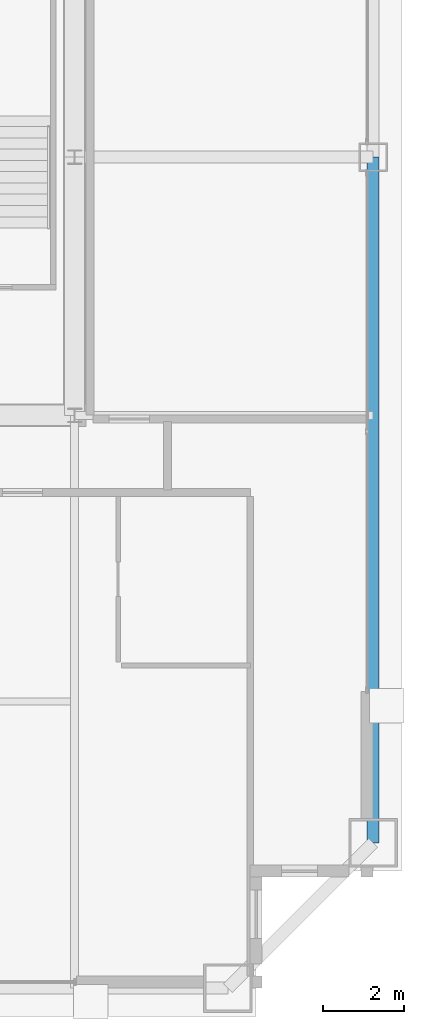
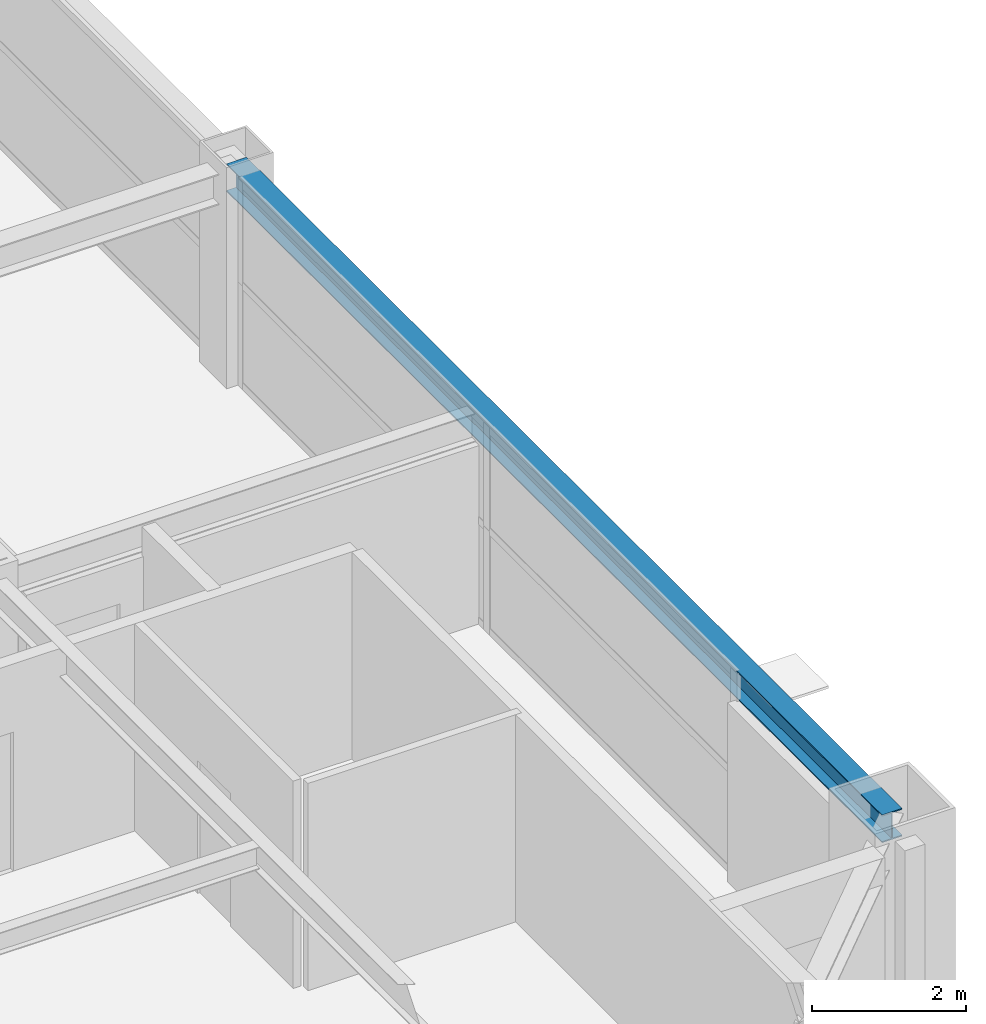
# One storey, part 19 of 37: 1 beam.
"""IFC4 building model written with IfcOpenShell, lengths in metres."""

from ifc_helpers import new_model, si_unit, direction, frame, origin, origin_2d, place, context, subcontext, project, spatial, i_section, extrude, source, transform, mapped, material, material_profile, profile_set, type_object, element, save


model = new_model("IFC4")

# Units and contexts
model_context = context("Model", 3, precision=1e-05, world=origin(), true_north=direction((0.0, 1.0)))
body_context = subcontext(model_context, "Body", "Model", "MODEL_VIEW")
ifc_project = project(units=[si_unit("LENGTHUNIT", "METRE"), si_unit("AREAUNIT", "SQUARE_METRE"), si_unit("VOLUMEUNIT", "CUBIC_METRE"), si_unit("PLANEANGLEUNIT", "RADIAN"), si_unit("MASSUNIT", "GRAM", prefix="KILO"), si_unit("THERMODYNAMICTEMPERATUREUNIT", "KELVIN"), si_unit("POWERUNIT", "WATT")], contexts=[model_context])

# Site, building, storey
site_placement = place(None, origin())
site = spatial("IfcSite", under=ifc_project, at=site_placement, CompositionType="ELEMENT")
building_placement = place(site_placement, origin())
building = spatial("IfcBuilding", under=site, at=building_placement, Name="Yuzanri Waterfront Tower", CompositionType="ELEMENT")
storey_placement = place(building_placement, frame((0.0, 0.0, 275.10009765625)))
storey = spatial("IfcBuildingStorey", under=building, at=storey_placement, Name="L73", CompositionType="ELEMENT", Elevation=275.10009765625)

# Beam
ifc_material = material(Name="Steel Q355B", Category="steel")
ifc_material_profile = material_profile(ifc_material, i_section(OverallWidth=0.300048828125, OverallDepth=0.43994140625, WebThickness=0.010986328125, FlangeThickness=0.01806640625, at=origin_2d()), Name="HM 440x300x11x18")
ifc_profile_set = profile_set([ifc_material_profile], Name="Steel Q355B")
beam_type = type_object("IfcBeamType", Name="Perimeter Spandrel Q355B HM 440x300", PredefinedType="SPANDREL", material=ifc_profile_set)
shared_shape = source(origin(), body_context, "Body", "SweptSolid", [
    extrude(i_section(OverallWidth=0.300048828125, OverallDepth=0.43994140625, WebThickness=0.010986328125, FlangeThickness=0.01806640625, at=origin_2d()), origin(), (0.0, 0.0, 1.0), 17.0),
])
beam_placement = place(storey_placement, frame((57.60009765625, 8.800048828125, 3.059814453125), z_axis=(0.0, 1.0, 0.0), x_axis=(-1.0, 0.0, 0.0)))
element("IfcBeam", 1, at=beam_placement, inside=storey, type_object=beam_type, Name="L73 Perimeter Spandrel E1-E2", PredefinedType="SPANDREL", context=body_context, shape_type="MappedRepresentation", body=[
    mapped(shared_shape, transform((0.0, 0.0, 0.0), scale=1.0)),
])

save(model, "model.ifc")
